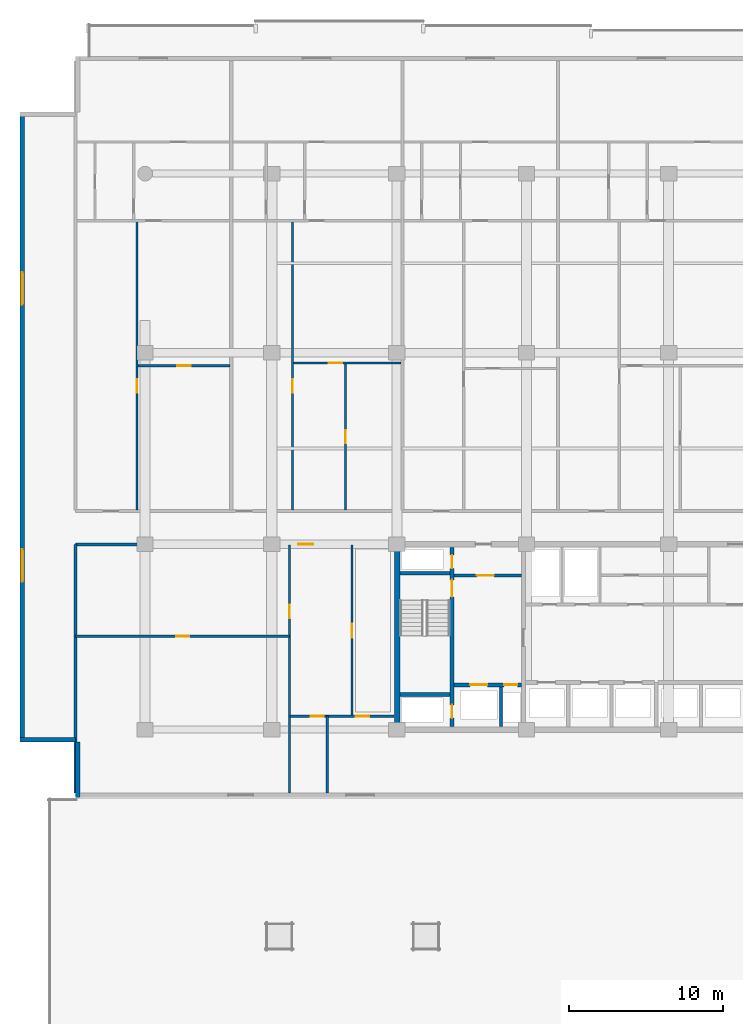
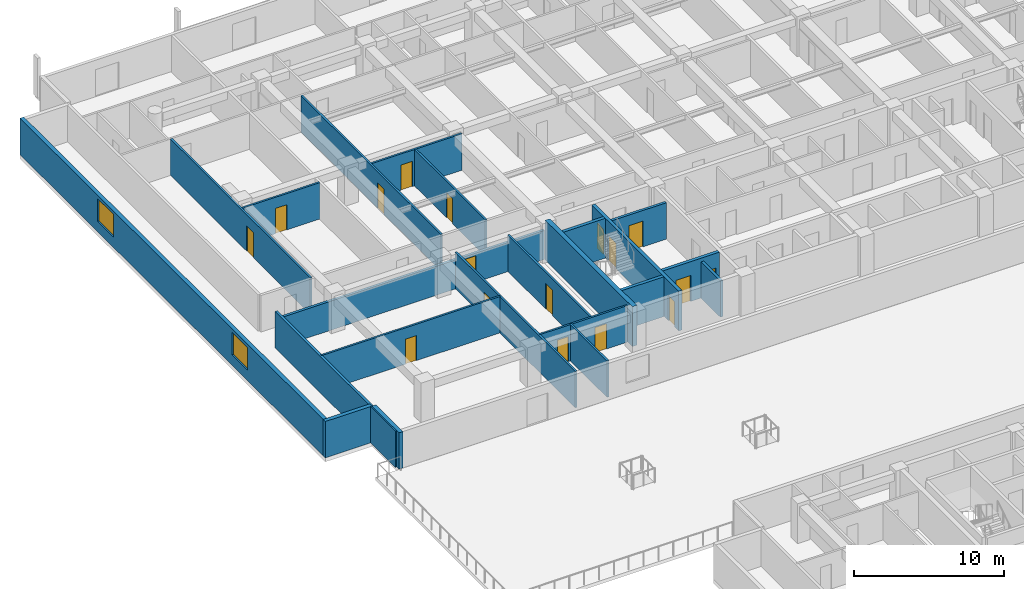
# One storey, part 9 of 24: 22 walls, 17 doors, 2 windows, 19 openings.
"""IFC4 building model written with IfcOpenShell, lengths in metres."""

import ifcopenshell
import ifcopenshell.guid

model = None  # the IFC model being written
_history = None  # IfcOwnerHistory: only IFC2X3 demands one
_inside = {}  # id of a spatial element -> (the spatial element, [elements in it])
_under = {}  # id of a project, library or spatial element -> (it, [spatial elements below it])
_declared = {}  # id of a project -> (the project, [libraries it declares])
_typed = {}  # id of a type object -> (the type object, [elements of that type])
_made_of = {}  # id of a material, layer set ... -> (it, [elements and type objects made of it])


def new_model(schema):
    """Start an empty IFC model of exactly this schema.

    Asked for "IFC4X3", IfcOpenShell would pick the latest addendum, in which some entities
    have other attributes; the version numbers below select the first issue.
    IFC2X3 requires an IfcOwnerHistory on every rooted entity: one is made here for all.
    """
    global model, _history
    if schema == "IFC4X3":
        model = ifcopenshell.file(schema_version=(4, 3, 0, 0))
    else:
        model = ifcopenshell.file(schema=schema)
    _inside.clear()
    _under.clear()
    _declared.clear()
    _typed.clear()
    _made_of.clear()
    _history = None
    if model.schema == "IFC2X3":
        org = make("IfcOrganization", Name="unknown")
        user = make(
            "IfcPersonAndOrganization",
            ThePerson=make("IfcPerson", FamilyName="unknown"),
            TheOrganization=org,
        )
        app = make(
            "IfcApplication",
            ApplicationDeveloper=org,
            Version="unknown",
            ApplicationFullName="unknown",
            ApplicationIdentifier="unknown",
        )
        _history = make(
            "IfcOwnerHistory",
            OwningUser=user,
            OwningApplication=app,
            ChangeAction="ADDED",
            CreationDate=0,
        )
    return model


def make(cls, **values):
    """One entity of the class cls with the attributes given. An attribute that is None is left unset."""
    return model.create_entity(
        cls, **{name: value for name, value in values.items() if value is not None}
    )


def rooted(cls, **values):
    """An entity with a GlobalId (a new one), such as an element, a storey or a relation."""
    return make(cls, GlobalId=ifcopenshell.guid.new(), OwnerHistory=_history, **values)


def si_unit(unit_type, name, prefix=None):
    """IfcSIUnit, for example si_unit("LENGTHUNIT", "METRE", prefix="MILLI")."""
    return make("IfcSIUnit", UnitType=unit_type, Prefix=prefix, Name=name)


def assignment(units):
    """IfcUnitAssignment: the units of a project."""
    return None if units is None else make("IfcUnitAssignment", Units=units)


def point(xyz):
    """IfcCartesianPoint."""
    return None if xyz is None else make("IfcCartesianPoint", Coordinates=xyz)


def direction(xyz):
    """IfcDirection."""
    return None if xyz is None else make("IfcDirection", DirectionRatios=xyz)


def frame(location, z_axis=None, x_axis=None):
    """IfcAxis2Placement3D, a coordinate frame: its origin and axes. An axis left out is left unset."""
    return make(
        "IfcAxis2Placement3D",
        Location=point(location),
        Axis=direction(z_axis),
        RefDirection=direction(x_axis),
    )


def frame_2d(location, x_axis=None):
    """IfcAxis2Placement2D, a coordinate frame in the plane: its origin and x axis."""
    return make(
        "IfcAxis2Placement2D", Location=point(location), RefDirection=direction(x_axis)
    )


def origin():
    """The frame at (0, 0, 0) with its axes left unset."""
    return frame((0.0, 0.0, 0.0))


def place(relative_to, where):
    """IfcLocalPlacement: puts the frame where relative to a parent placement (None: the world)."""
    return make(
        "IfcLocalPlacement", PlacementRelTo=relative_to, RelativePlacement=where
    )


def context(
    kind, dimensions, precision=None, world=None, true_north=None, identifier=None
):
    """IfcGeometricRepresentationContext, for example the 3D "Model" context."""
    return make(
        "IfcGeometricRepresentationContext",
        ContextIdentifier=identifier,
        ContextType=kind,
        CoordinateSpaceDimension=dimensions,
        Precision=precision,
        WorldCoordinateSystem=world,
        TrueNorth=true_north,
    )


def subcontext(parent, identifier, kind, view, scale=None):
    """IfcGeometricRepresentationSubContext, for example "Body" below "Model"."""
    return make(
        "IfcGeometricRepresentationSubContext",
        ContextIdentifier=identifier,
        ContextType=kind,
        ParentContext=parent,
        TargetScale=scale,
        TargetView=view,
    )


def project(units=None, contexts=None):
    """IfcProject with its units and contexts."""
    return rooted(
        "IfcProject",
        Name="project",
        RepresentationContexts=contexts,
        UnitsInContext=assignment(units),
    )


def spatial(cls, under=None, at=None, **own):
    """A site, building, storey or space (cls), placed at a placement, below another one or the project."""
    s = rooted(cls, ObjectPlacement=at, **own)
    if under is not None:
        _under.setdefault(under.id(), (under, []))[1].append(s)
    return s


def profile(cls, at=None, kind="AREA", **sizes):
    """A parametric profile (cls). Its sizes go by their IFC names, for example OverallWidth=200.0."""
    return make(cls, ProfileType=kind, Position=at, **sizes)


def rectangle(**sizes):
    """IfcRectangleProfileDef."""
    return profile("IfcRectangleProfileDef", **sizes)


def extrude(swept, where, along, depth):
    """IfcExtrudedAreaSolid: the profile swept, set in the frame where, extruded along a direction by depth."""
    return make(
        "IfcExtrudedAreaSolid",
        SweptArea=swept,
        Position=where,
        ExtrudedDirection=direction(along),
        Depth=depth,
    )


def shape(context_of_items, identifier, shape_type, items):
    """IfcShapeRepresentation: the items that make up one representation, for example the "Body"."""
    return make(
        "IfcShapeRepresentation",
        ContextOfItems=context_of_items,
        RepresentationIdentifier=identifier,
        RepresentationType=shape_type,
        Items=items,
    )


def material(Name=None, Category=None):
    """IfcMaterial."""
    return make("IfcMaterial", Name=Name, Category=Category)


def layer(
    of_material, thickness, ventilated=None, Name=None, Category=None, Priority=None
):
    """IfcMaterialLayer: one layer of a wall or slab, of a material (None: an air gap)."""
    return make(
        "IfcMaterialLayer",
        Material=of_material,
        LayerThickness=thickness,
        IsVentilated=ventilated,
        Name=Name,
        Category=Category,
        Priority=Priority,
    )


def layer_set(layers, Name=None):
    """IfcMaterialLayerSet."""
    return make("IfcMaterialLayerSet", MaterialLayers=layers, LayerSetName=Name)


def made_of(thing, what):
    """Note that an element or type object is made of a material, layer set ...; save() writes the relation."""
    if what is not None:
        _made_of.setdefault(what.id(), (what, []))[1].append(thing)
    return thing


def type_object(cls, material=None, **own):
    """A type object (cls), such as IfcWallType, which elements share."""
    return made_of(rooted(cls, **own), material)


def element(
    cls,
    number,
    at=None,
    inside=None,
    cuts=None,
    type_object=None,
    material=None,
    context=None,
    identifier="Body",
    shape_type=None,
    held_by="IfcProductDefinitionShape",
    body=None,
    shapes=None,
    **own,
):
    """One element of the class cls, such as IfcWall. Its Tag is "e" and its number.

    at: its placement. inside: the storey or other place that contains it. cuts: it is an
    opening in that element (IfcRelVoidsElement). A single representation is given by context,
    identifier, shape_type and body (its items); several are given by shapes. held_by: the class
    of the entity that holds the representations. save() writes the other relations.
    """
    e = rooted(cls, Tag="e%d" % number, ObjectPlacement=at, **own)
    if body is not None:
        shapes = [shape(context, identifier, shape_type, body)]
    if shapes is not None:
        e.Representation = make(held_by, Representations=shapes)
    if inside is not None:
        _inside.setdefault(inside.id(), (inside, []))[1].append(e)
    if cuts is not None:
        rooted(
            "IfcRelVoidsElement", RelatingBuildingElement=cuts, RelatedOpeningElement=e
        )
    if type_object is not None:
        _typed.setdefault(type_object.id(), (type_object, []))[1].append(e)
    return made_of(e, material)


def fill(opening, filler):
    """IfcRelFillsElement: the door or window that sits in an opening."""
    return rooted(
        "IfcRelFillsElement",
        RelatingOpeningElement=opening,
        RelatedBuildingElement=filler,
    )


def aggregate(whole, parts):
    """IfcRelAggregates: a whole, such as a stair, and the parts it consists of."""
    return rooted("IfcRelAggregates", RelatingObject=whole, RelatedObjects=parts)


def save(model, path):
    """Write the relations noted so far, then the file.

    IfcRelAggregates (storeys below a building ...), IfcRelContainedInSpatialStructure (elements
    in a storey), IfcRelDefinesByType, IfcRelAssociatesMaterial and IfcRelDeclares: one each for
    every whole, place, type object, material and project.
    """
    for whole, parts in _under.values():
        aggregate(whole, parts)
    for where, things in _inside.values():
        rooted(
            "IfcRelContainedInSpatialStructure",
            RelatedElements=things,
            RelatingStructure=where,
        )
    for kind, things in _typed.values():
        rooted("IfcRelDefinesByType", RelatedObjects=things, RelatingType=kind)
    for what, things in _made_of.values():
        rooted("IfcRelAssociatesMaterial", RelatedObjects=things, RelatingMaterial=what)
    for by, libraries in _declared.values():
        rooted("IfcRelDeclares", RelatingContext=by, RelatedDefinitions=libraries)
    model.write(path)


model = new_model("IFC4")

# Units and contexts
model_context = context("Model", 3, precision=1e-05, world=origin(), true_north=direction((0.0, 1.0)))
body_context = subcontext(model_context, "Body", "Model", "MODEL_VIEW")
ifc_project = project(units=[si_unit("LENGTHUNIT", "METRE"), si_unit("AREAUNIT", "SQUARE_METRE"), si_unit("VOLUMEUNIT", "CUBIC_METRE"), si_unit("PLANEANGLEUNIT", "RADIAN"), si_unit("MASSUNIT", "GRAM", prefix="KILO")], contexts=[model_context])

# Site, building, storey
site_placement = place(None, origin())
site = spatial("IfcSite", under=ifc_project, at=site_placement, CompositionType="ELEMENT")
building_placement = place(site_placement, origin())
building = spatial("IfcBuilding", under=site, at=building_placement, Name="Korimba Cascade Residences", CompositionType="ELEMENT")
storey_placement = place(building_placement, frame((0.0, 0.0, 24.0)))
storey = spatial("IfcBuildingStorey", under=building, at=storey_placement, Name="L05", CompositionType="ELEMENT", Elevation=24.0)

# Wall, openings, windows
ifc_material_1 = material(Name="Precast concrete C40/50", Category="concrete")
ifc_layer_1 = layer(ifc_material_1, 0.300048828125)
ifc_layer_set_1 = layer_set([ifc_layer_1], Name="Precast concrete C40/50")
wall_type_1 = type_object("IfcWallType", Name="EW-STONE-300", PredefinedType="STANDARD", material=ifc_layer_set_1)
wall_1_placement = place(storey_placement, frame((51.85009765625, 95.199951171875, 0.0), z_axis=(0.0, 0.0, 1.0), x_axis=(0.0, -1.0, 0.0)))
wall_1 = element("IfcWall", 1, at=wall_1_placement, inside=storey, type_object=wall_type_1, Name="L05 T1 Perimeter Stone Wall E09", PredefinedType="STANDARD", context=body_context, shape_type="SweptSolid", body=[
    extrude(rectangle(XDim=40.800048828125, YDim=0.300048828125, at=frame_2d((20.39990234375, 0.0))), origin(), (0.0, 0.0, 1.0), 2.969970703125),
])
opening_1_placement = place(wall_1_placement, frame((10.3740234375, 0.0, 0.85009765625)))
opening_1 = element("IfcOpeningElement", 2, at=opening_1_placement, cuts=wall_1, Name="Opening W-03", PredefinedType="OPENING", context=body_context, shape_type="SweptSolid", body=[
    extrude(rectangle(XDim=2.10009765625, YDim=1.85009765625, at=frame_2d((1.050048828125, 0.925048828125))), frame((0.0, 0.16015625, 0.0), z_axis=(0.0, -1.0, 0.0), x_axis=(1.0, 0.0, 0.0)), (0.0, 0.0, 1.0), 0.320068359375),
])
opening_2_placement = place(wall_1_placement, frame((28.325927734375, 0.0, 0.85009765625)))
opening_2 = element("IfcOpeningElement", 3, at=opening_2_placement, cuts=wall_1, Name="Opening W-03", PredefinedType="OPENING", context=body_context, shape_type="SweptSolid", body=[
    extrude(rectangle(XDim=2.10009765625, YDim=1.85009765625, at=frame_2d((1.050048828125, 0.925048828125))), frame((0.0, 0.16015625, 0.0), z_axis=(0.0, -1.0, 0.0), x_axis=(1.0, 0.0, 0.0)), (0.0, 0.0, 1.0), 0.320068359375),
])
ifc_material_2 = material(Name="Double-Glazed Aluminium Window", Category="aluminium")
window_type = type_object("IfcWindowType", Name="WIN-CRN-2100", PartitioningType="DOUBLE_PANEL_HORIZONTAL", PredefinedType="WINDOW", material=ifc_material_2)
window_1_placement = place(opening_1_placement, origin())
window_1 = element("IfcWindow", 4, at=window_1_placement, inside=storey, type_object=window_type, Name="L05 T1 End View Window 9.1", OverallHeight=1.85009765625, OverallWidth=2.10009765625, PartitioningType="DOUBLE_PANEL_HORIZONTAL", PredefinedType="WINDOW", context=body_context, shape_type="SweptSolid", body=[
    extrude(rectangle(XDim=2.10009765625, YDim=1.85009765625, at=frame_2d((1.050048828125, 0.925048828125))), frame((0.0, 0.030029296875, 0.0), z_axis=(0.0, -1.0, 0.0), x_axis=(1.0, 0.0, 0.0)), (0.0, 0.0, 1.0), 0.06005859375),
])
fill(opening_1, window_1)
window_2_placement = place(opening_2_placement, origin())
window_2 = element("IfcWindow", 5, at=window_2_placement, inside=storey, type_object=window_type, Name="L05 T1 End View Window 9.2", OverallHeight=1.85009765625, OverallWidth=2.10009765625, PartitioningType="DOUBLE_PANEL_HORIZONTAL", PredefinedType="WINDOW", context=body_context, shape_type="SweptSolid", body=[
    extrude(rectangle(XDim=2.10009765625, YDim=1.85009765625, at=frame_2d((1.050048828125, 0.925048828125))), frame((0.0, 0.030029296875, 0.0), z_axis=(0.0, -1.0, 0.0), x_axis=(1.0, 0.0, 0.0)), (0.0, 0.0, 1.0), 0.06005859375),
])
fill(opening_2, window_2)

# Walls
wall_2_placement = place(storey_placement, frame((51.699951171875, 54.550048828125, 0.0), z_axis=(0.0, 0.0, 1.0), x_axis=(1.0, 0.0, 0.0)))
element("IfcWall", 6, at=wall_2_placement, inside=storey, type_object=wall_type_1, Name="L05 T1 Perimeter Stone Wall E10", PredefinedType="STANDARD", context=body_context, shape_type="SweptSolid", body=[
    extrude(rectangle(XDim=3.60009765625, YDim=0.300048828125, at=frame_2d((1.800048828125, 0.0))), origin(), (0.0, 0.0, 1.0), 2.969970703125),
])
wall_3_placement = place(storey_placement, frame((55.449951171875, 54.39990234375, 0.0), z_axis=(0.0, 0.0, 1.0), x_axis=(0.0, -1.0, 0.0)))
element("IfcWall", 7, at=wall_3_placement, inside=storey, type_object=wall_type_1, Name="L05 T1 Perimeter Stone Wall E11", PredefinedType="STANDARD", context=body_context, shape_type="SweptSolid", body=[
    extrude(rectangle(XDim=3.599853515625, YDim=0.300048828125, at=frame_2d((1.7998046875, 0.0))), origin(), (0.0, 0.0, 1.0), 2.969970703125),
])
ifc_material_3 = material(Name="Concrete C65/80", Category="concrete")
ifc_layer_2 = layer(ifc_material_3, 0.35009765625)
ifc_layer_set_2 = layer_set([ifc_layer_2], Name="Concrete C65/80")
wall_type_2 = type_object("IfcWallType", Name="WAL-CORE-350", PredefinedType="SHEAR", material=ifc_layer_set_2)
wall_4_placement = place(storey_placement, frame((76.125, 55.375, 0.0), z_axis=(0.0, 0.0, 1.0), x_axis=(0.0, 1.0, 0.0)))
element("IfcWall", 8, at=wall_4_placement, inside=storey, type_object=wall_type_2, Name="L05 Core Shear Wall CW-L05-T1-W", PredefinedType="SHEAR", context=body_context, shape_type="SweptSolid", body=[
    extrude(rectangle(XDim=11.64990234375, YDim=0.35009765625, at=frame_2d((5.824951171875, 0.0))), origin(), (0.0, 0.0, 1.0), 3.25),
])
ifc_layer_3 = layer(ifc_material_1, 0.199951171875)
ifc_layer_set_3 = layer_set([ifc_layer_3], Name="Precast concrete C40/50")
wall_type_3 = type_object("IfcWallType", Name="WAL-IT-200", PredefinedType="PARTITIONING", material=ifc_layer_set_3)
wall_5_placement = place(storey_placement, frame((55.300048828125, 51.10009765625, 0.0), z_axis=(0.0, 0.0, 1.0), x_axis=(0.0, 1.0, 0.0)))
element("IfcWall", 9, at=wall_5_placement, inside=storey, type_object=wall_type_3, Name="L05 Partition Wall WAL-L05-T1-FW-WL", PredefinedType="PARTITIONING", context=body_context, shape_type="SweptSolid", body=[
    extrude(rectangle(XDim=16.099853515625, YDim=0.199951171875, at=frame_2d((8.0498046875, 0.0))), origin(), (0.0, 0.0, 1.0), 2.969970703125),
])

# Wall, opening, door
wall_6_placement = place(storey_placement, frame((55.300048828125, 67.199951171875, 0.0), z_axis=(0.0, 0.0, 1.0), x_axis=(1.0, 0.0, 0.0)))
wall_6 = element("IfcWall", 10, at=wall_6_placement, inside=storey, type_object=wall_type_3, Name="L05 Partition Wall WAL-L05-T1-FW-N", PredefinedType="PARTITIONING", context=body_context, shape_type="SweptSolid", body=[
    extrude(rectangle(XDim=20.64990234375, YDim=0.199951171875, at=frame_2d((10.324951171875, 0.0))), origin(), (0.0, 0.0, 1.0), 2.3701171875),
])
opening_3_placement = place(wall_6_placement, frame((14.426025390625, 0.0, 0.0)))
opening_3 = element("IfcOpeningElement", 11, at=opening_3_placement, cuts=wall_6, Name="Opening D-UN1", PredefinedType="OPENING", context=body_context, shape_type="SweptSolid", body=[
    extrude(rectangle(XDim=0.949951171875, YDim=2.14990234375, at=frame_2d((0.47509765625, 1.074951171875))), frame((0.0, 0.10986328125, 0.0), z_axis=(0.0, -1.0, 0.0), x_axis=(1.0, 0.0, 0.0)), (0.0, 0.0, 1.0), 0.219970703125),
])
ifc_material_4 = material(Name="Fire-Rated Hardwood Apartment Entrance Door", Category="wood")
door_type_1 = type_object("IfcDoorType", Name="DR-FD60-950", OperationType="NOTDEFINED", PredefinedType="DOOR", material=ifc_material_4)
door_1_placement = place(opening_3_placement, origin())
door_1 = element("IfcDoor", 12, at=door_1_placement, inside=storey, type_object=door_type_1, Name="L05-T1-FW Entrance Door", OperationType="SINGLE_SWING_RIGHT", OverallHeight=2.14990234375, OverallWidth=0.949951171875, PredefinedType="DOOR", context=body_context, shape_type="SweptSolid", body=[
    extrude(rectangle(XDim=0.949951171875, YDim=2.14990234375, at=frame_2d((0.47509765625, 1.074951171875))), frame((0.0, 0.02490234375, 0.0), z_axis=(0.0, -1.0, 0.0), x_axis=(1.0, 0.0, 0.0)), (0.0, 0.0, 1.0), 0.050048828125),
])
fill(opening_3, door_1)

ifc_material_5 = material(Name="Insulated Acoustic Stud Partition", Category="gypsum")
ifc_layer_4 = layer(ifc_material_5, 0.14990234375)
ifc_layer_set_4 = layer_set([ifc_layer_4], Name="Insulated Acoustic Stud Partition")
wall_type_4 = type_object("IfcWallType", Name="WAL-PART-150", PredefinedType="PARTITIONING", material=ifc_layer_set_4)
wall_7_placement = place(storey_placement, frame((55.300048828125, 61.25, 0.0), z_axis=(0.0, 0.0, 1.0), x_axis=(1.0, 0.0, 0.0)))
wall_7 = element("IfcWall", 13, at=wall_7_placement, inside=storey, type_object=wall_type_4, Name="L05 Partition Wall WAL-L05-T1-FW-STH", PredefinedType="PARTITIONING", context=body_context, shape_type="SweptSolid", body=[
    extrude(rectangle(XDim=13.849853515625, YDim=0.14990234375, at=frame_2d((6.9248046875, 0.0))), origin(), (0.0, 0.0, 1.0), 2.969970703125),
])
opening_4_placement = place(wall_7_placement, frame((6.5048828125, 0.0, 0.0)))
opening_4 = element("IfcOpeningElement", 14, at=opening_4_placement, cuts=wall_7, Name="Opening D-BT1", PredefinedType="OPENING", context=body_context, shape_type="SweptSolid", body=[
    extrude(rectangle(XDim=0.840087890625, YDim=2.0400390625, at=frame_2d((0.419921875, 1.02001953125))), frame((0.0, 0.0849609375, 0.0), z_axis=(0.0, -1.0, 0.0), x_axis=(1.0, 0.0, 0.0)), (0.0, 0.0, 1.0), 0.169921875),
])
ifc_material_6 = material(Name="Moisture-Resistant Bathroom Timber Door", Category="wood")
door_type_2 = type_object("IfcDoorType", Name="DR-INT-850", OperationType="NOTDEFINED", PredefinedType="DOOR", material=ifc_material_6)
door_2_placement = place(opening_4_placement, origin())
door_2 = element("IfcDoor", 15, at=door_2_placement, inside=storey, type_object=door_type_2, Name="L05-T1-FW Dressing Store Door", OperationType="SINGLE_SWING_LEFT", OverallHeight=2.0400390625, OverallWidth=0.840087890625, PredefinedType="DOOR", context=body_context, shape_type="SweptSolid", body=[
    extrude(rectangle(XDim=0.840087890625, YDim=2.0400390625, at=frame_2d((0.419921875, 1.02001953125))), frame((0.0, 0.02490234375, 0.0), z_axis=(0.0, -1.0, 0.0), x_axis=(1.0, 0.0, 0.0)), (0.0, 0.0, 1.0), 0.050048828125),
])
fill(opening_4, door_2)

wall_8_placement = place(storey_placement, frame((69.14990234375, 51.10009765625, 0.0), z_axis=(0.0, 0.0, 1.0), x_axis=(0.0, 1.0, 0.0)))
wall_8 = element("IfcWall", 16, at=wall_8_placement, inside=storey, type_object=wall_type_4, Name="L05 Partition Wall WAL-L05-T1-FW-STV", PredefinedType="PARTITIONING", context=body_context, shape_type="SweptSolid", body=[
    extrude(rectangle(XDim=16.0498046875, YDim=0.14990234375, at=frame_2d((8.02490234375, 0.0))), origin(), (0.0, 0.0, 1.0), 2.969970703125),
])
opening_5_placement = place(wall_8_placement, frame((11.300048828125, 0.0, 0.0)))
opening_5 = element("IfcOpeningElement", 17, at=opening_5_placement, cuts=wall_8, Name="Opening D-IN2", PredefinedType="OPENING", context=body_context, shape_type="SweptSolid", body=[
    extrude(rectangle(XDim=0.8798828125, YDim=2.06005859375, at=frame_2d((0.43994140625, 1.030029296875))), frame((0.0, 0.0849609375, 0.0), z_axis=(0.0, -1.0, 0.0), x_axis=(1.0, 0.0, 0.0)), (0.0, 0.0, 1.0), 0.169921875),
])
ifc_material_7 = material(Name="Acoustic Timber Bedroom Door", Category="wood")
door_type_3 = type_object("IfcDoorType", Name="DR-INT-880", OperationType="NOTDEFINED", PredefinedType="DOOR", material=ifc_material_7)
door_3_placement = place(opening_5_placement, origin())
door_3 = element("IfcDoor", 18, at=door_3_placement, inside=storey, type_object=door_type_3, Name="L05-T1-FW Study Door", OperationType="SINGLE_SWING_RIGHT", OverallHeight=2.06005859375, OverallWidth=0.8798828125, PredefinedType="DOOR", context=body_context, shape_type="SweptSolid", body=[
    extrude(rectangle(XDim=0.8798828125, YDim=2.06005859375, at=frame_2d((0.43994140625, 1.030029296875))), frame((0.0, 0.02490234375, 0.0), z_axis=(0.0, -1.0, 0.0), x_axis=(1.0, 0.0, 0.0)), (0.0, 0.0, 1.0), 0.050048828125),
])
fill(opening_5, door_3)

wall_9_placement = place(storey_placement, frame((73.199951171875, 56.070068359375, 0.0), z_axis=(0.0, 0.0, 1.0), x_axis=(0.0, 1.0, 0.0)))
wall_9 = element("IfcWall", 19, at=wall_9_placement, inside=storey, type_object=wall_type_4, Name="L05 Partition Wall WAL-L05-T1-FW-VN", PredefinedType="PARTITIONING", context=body_context, shape_type="SweptSolid", body=[
    extrude(rectangle(XDim=11.079833984375, YDim=0.14990234375, at=frame_2d((5.5400390625, 0.0))), origin(), (0.0, 0.0, 1.0), 2.969970703125),
])
opening_6_placement = place(wall_9_placement, frame((5.080078125, 0.0, 0.0)))
opening_6 = element("IfcOpeningElement", 20, at=opening_6_placement, cuts=wall_9, Name="Opening D-IN1", PredefinedType="OPENING", context=body_context, shape_type="SweptSolid", body=[
    extrude(rectangle(XDim=0.919921875, YDim=2.080078125, at=frame_2d((0.4599609375, 1.0400390625))), frame((0.0, 0.0849609375, 0.0), z_axis=(0.0, -1.0, 0.0), x_axis=(1.0, 0.0, 0.0)), (0.0, 0.0, 1.0), 0.169921875),
])
ifc_material_8 = material(Name="Acoustic Timber Living Door", Category="wood")
door_type_4 = type_object("IfcDoorType", Name="DR-INT-920", OperationType="NOTDEFINED", PredefinedType="DOOR", material=ifc_material_8)
door_4_placement = place(opening_6_placement, origin())
door_4 = element("IfcDoor", 21, at=door_4_placement, inside=storey, type_object=door_type_4, Name="L05-T1-FW Living Door", OperationType="SINGLE_SWING_LEFT", OverallHeight=2.080078125, OverallWidth=0.919921875, PredefinedType="DOOR", context=body_context, shape_type="SweptSolid", body=[
    extrude(rectangle(XDim=0.919921875, YDim=2.080078125, at=frame_2d((0.4599609375, 1.0400390625))), frame((0.0, 0.02490234375, 0.0), z_axis=(0.0, -1.0, 0.0), x_axis=(1.0, 0.0, 0.0)), (0.0, 0.0, 1.0), 0.050048828125),
])
fill(opening_6, door_4)

# Wall
wall_10_placement = place(storey_placement, frame((71.60009765625, 51.10009765625, 0.0), z_axis=(0.0, 0.0, 1.0), x_axis=(0.0, 1.0, 0.0)))
element("IfcWall", 22, at=wall_10_placement, inside=storey, type_object=wall_type_4, Name="L05 Partition Wall WAL-L05-T1-FW-VS", PredefinedType="PARTITIONING", context=body_context, shape_type="SweptSolid", body=[
    extrude(rectangle(XDim=4.969970703125, YDim=0.14990234375, at=frame_2d((2.48486328125, 0.0))), origin(), (0.0, 0.0, 1.0), 2.969970703125),
])

# Wall, openings, doors
wall_11_placement = place(storey_placement, frame((69.169921875, 56.070068359375, 0.0), z_axis=(0.0, 0.0, 1.0), x_axis=(1.0, 0.0, 0.0)))
wall_11 = element("IfcWall", 23, at=wall_11_placement, inside=storey, type_object=wall_type_4, Name="L05 Partition Wall WAL-L05-T1-FW-H", PredefinedType="PARTITIONING", context=body_context, shape_type="SweptSolid", body=[
    extrude(rectangle(XDim=6.760009765625, YDim=0.14990234375, at=frame_2d((3.3798828125, 0.0))), origin(), (0.0, 0.0, 1.0), 2.969970703125),
])
opening_7_placement = place(wall_11_placement, frame((1.3623046875, 0.0, 0.0)))
opening_7 = element("IfcOpeningElement", 24, at=opening_7_placement, cuts=wall_11, Name="Opening D-BT1", PredefinedType="OPENING", context=body_context, shape_type="SweptSolid", body=[
    extrude(rectangle(XDim=0.840087890625, YDim=2.0400390625, at=frame_2d((0.419921875, 1.02001953125))), frame((0.0, 0.0849609375, 0.0), z_axis=(0.0, -1.0, 0.0), x_axis=(1.0, 0.0, 0.0)), (0.0, 0.0, 1.0), 0.169921875),
])
opening_8_placement = place(wall_11_placement, frame((4.276611328125, 0.0, 0.0)))
opening_8 = element("IfcOpeningElement", 25, at=opening_8_placement, cuts=wall_11, Name="Opening D-IN2", PredefinedType="OPENING", context=body_context, shape_type="SweptSolid", body=[
    extrude(rectangle(XDim=0.8798828125, YDim=2.06005859375, at=frame_2d((0.43994140625, 1.030029296875))), frame((0.0, 0.0849609375, 0.0), z_axis=(0.0, -1.0, 0.0), x_axis=(1.0, 0.0, 0.0)), (0.0, 0.0, 1.0), 0.169921875),
])
door_5_placement = place(opening_7_placement, origin())
door_5 = element("IfcDoor", 26, at=door_5_placement, inside=storey, type_object=door_type_2, Name="L05-T1-FW Bathroom Door", OperationType="SINGLE_SWING_RIGHT", OverallHeight=2.0400390625, OverallWidth=0.840087890625, PredefinedType="DOOR", context=body_context, shape_type="SweptSolid", body=[
    extrude(rectangle(XDim=0.840087890625, YDim=2.0400390625, at=frame_2d((0.419921875, 1.02001953125))), frame((0.0, 0.02490234375, 0.0), z_axis=(0.0, -1.0, 0.0), x_axis=(1.0, 0.0, 0.0)), (0.0, 0.0, 1.0), 0.050048828125),
])
fill(opening_7, door_5)
door_6_placement = place(opening_8_placement, origin())
door_6 = element("IfcDoor", 27, at=door_6_placement, inside=storey, type_object=door_type_3, Name="L05-T1-FW Bedroom Door", OperationType="SINGLE_SWING_LEFT", OverallHeight=2.06005859375, OverallWidth=0.8798828125, PredefinedType="DOOR", context=body_context, shape_type="SweptSolid", body=[
    extrude(rectangle(XDim=0.8798828125, YDim=2.06005859375, at=frame_2d((0.43994140625, 1.030029296875))), frame((0.0, 0.02490234375, 0.0), z_axis=(0.0, -1.0, 0.0), x_axis=(1.0, 0.0, 0.0)), (0.0, 0.0, 1.0), 0.050048828125),
])
fill(opening_8, door_6)

# Wall, opening, door
wall_12_placement = place(storey_placement, frame((59.330078125, 78.760009765625, 0.0), z_axis=(0.0, 0.0, 1.0), x_axis=(1.0, 0.0, 0.0)))
wall_12 = element("IfcWall", 28, at=wall_12_placement, inside=storey, type_object=wall_type_4, Name="L05 Partition Wall WAL-L05-T1-U01-FMH", PredefinedType="PARTITIONING", context=body_context, shape_type="SweptSolid", body=[
    extrude(rectangle(XDim=5.9677734375, YDim=0.14990234375, at=frame_2d((2.98388671875, 0.0))), origin(), (0.0, 0.0, 1.0), 2.969970703125),
])
opening_9_placement = place(wall_12_placement, frame((2.5439453125, 0.0, 0.0)))
opening_9 = element("IfcOpeningElement", 29, at=opening_9_placement, cuts=wall_12, Name="Opening D-IN2", PredefinedType="OPENING", context=body_context, shape_type="SweptSolid", body=[
    extrude(rectangle(XDim=0.8798828125, YDim=2.06005859375, at=frame_2d((0.43994140625, 1.030029296875))), frame((0.0, 0.0849609375, 0.0), z_axis=(0.0, -1.0, 0.0), x_axis=(1.0, 0.0, 0.0)), (0.0, 0.0, 1.0), 0.169921875),
])
door_7_placement = place(opening_9_placement, origin())
door_7 = element("IfcDoor", 30, at=door_7_placement, inside=storey, type_object=door_type_3, Name="L05-T1-U01 Library Salon Door", OperationType="SINGLE_SWING_LEFT", OverallHeight=2.06005859375, OverallWidth=0.8798828125, PredefinedType="DOOR", context=body_context, shape_type="SweptSolid", body=[
    extrude(rectangle(XDim=0.8798828125, YDim=2.06005859375, at=frame_2d((0.43994140625, 1.030029296875))), frame((0.0, 0.02490234375, 0.0), z_axis=(0.0, -1.0, 0.0), x_axis=(1.0, 0.0, 0.0)), (0.0, 0.0, 1.0), 0.050048828125),
])
fill(opening_9, door_7)

wall_13_placement = place(storey_placement, frame((59.27001953125, 69.409912109375, 0.0), z_axis=(0.0, 0.0, 1.0), x_axis=(0.0, 1.0, 0.0)))
wall_13 = element("IfcWall", 31, at=wall_13_placement, inside=storey, type_object=wall_type_4, Name="L05 Partition Wall WAL-L05-T1-U01-FV", PredefinedType="PARTITIONING", context=body_context, shape_type="SweptSolid", body=[
    extrude(rectangle(XDim=18.7001953125, YDim=0.14990234375, at=frame_2d((9.35009765625, 0.0))), origin(), (0.0, 0.0, 1.0), 2.969970703125),
])
opening_10_placement = place(wall_13_placement, frame((7.59033203125, 0.0, 0.0)))
opening_10 = element("IfcOpeningElement", 32, at=opening_10_placement, cuts=wall_13, Name="Opening D-IN2", PredefinedType="OPENING", context=body_context, shape_type="SweptSolid", body=[
    extrude(rectangle(XDim=0.8798828125, YDim=2.06005859375, at=frame_2d((0.43994140625, 1.030029296875))), frame((0.0, 0.0849609375, 0.0), z_axis=(0.0, -1.0, 0.0), x_axis=(1.0, 0.0, 0.0)), (0.0, 0.0, 1.0), 0.169921875),
])
door_8_placement = place(opening_10_placement, origin())
door_8 = element("IfcDoor", 33, at=door_8_placement, inside=storey, type_object=door_type_3, Name="L05-T1-U01 Media Lounge Door", OperationType="SINGLE_SWING_RIGHT", OverallHeight=2.06005859375, OverallWidth=0.8798828125, PredefinedType="DOOR", context=body_context, shape_type="SweptSolid", body=[
    extrude(rectangle(XDim=0.8798828125, YDim=2.06005859375, at=frame_2d((0.43994140625, 1.030029296875))), frame((0.0, 0.02490234375, 0.0), z_axis=(0.0, -1.0, 0.0), x_axis=(1.0, 0.0, 0.0)), (0.0, 0.0, 1.0), 0.050048828125),
])
fill(opening_10, door_8)

wall_14_placement = place(storey_placement, frame((72.77587890625, 69.409912109375, 0.0), z_axis=(0.0, 0.0, 1.0), x_axis=(0.0, 1.0, 0.0)))
wall_14 = element("IfcWall", 34, at=wall_14_placement, inside=storey, type_object=wall_type_4, Name="L05 Partition Wall WAL-L05-T1-U02-FMV", PredefinedType="PARTITIONING", context=body_context, shape_type="SweptSolid", body=[
    extrude(rectangle(XDim=9.530029296875, YDim=0.14990234375, at=frame_2d((4.76513671875, 0.0))), origin(), (0.0, 0.0, 1.0), 2.969970703125),
])
opening_11_placement = place(wall_14_placement, frame((4.344970703125, 0.0, 0.0)))
opening_11 = element("IfcOpeningElement", 35, at=opening_11_placement, cuts=wall_14, Name="Opening D-BT1", PredefinedType="OPENING", context=body_context, shape_type="SweptSolid", body=[
    extrude(rectangle(XDim=0.840087890625, YDim=2.0400390625, at=frame_2d((0.419921875, 1.02001953125))), frame((0.0, 0.0849609375, 0.0), z_axis=(0.0, -1.0, 0.0), x_axis=(1.0, 0.0, 0.0)), (0.0, 0.0, 1.0), 0.169921875),
])
door_9_placement = place(opening_11_placement, origin())
door_9 = element("IfcDoor", 36, at=door_9_placement, inside=storey, type_object=door_type_2, Name="L05-T1-U02 Wardrobe Door", OperationType="SINGLE_SWING_LEFT", OverallHeight=2.0400390625, OverallWidth=0.840087890625, PredefinedType="DOOR", context=body_context, shape_type="SweptSolid", body=[
    extrude(rectangle(XDim=0.840087890625, YDim=2.0400390625, at=frame_2d((0.419921875, 1.02001953125))), frame((0.0, 0.02490234375, 0.0), z_axis=(0.0, -1.0, 0.0), x_axis=(1.0, 0.0, 0.0)), (0.0, 0.0, 1.0), 0.050048828125),
])
fill(opening_11, door_9)

wall_15_placement = place(storey_placement, frame((69.407958984375, 78.93994140625, 0.0), z_axis=(0.0, 0.0, 1.0), x_axis=(1.0, 0.0, 0.0)))
wall_15 = element("IfcWall", 37, at=wall_15_placement, inside=storey, type_object=wall_type_4, Name="L05 Partition Wall WAL-L05-T1-U02-FMH", PredefinedType="PARTITIONING", context=body_context, shape_type="SweptSolid", body=[
    extrude(rectangle(XDim=6.9755859375, YDim=0.14990234375, at=frame_2d((3.48779296875, 0.0))), origin(), (0.0, 0.0, 1.0), 2.969970703125),
])
opening_12_placement = place(wall_15_placement, frame((2.267822265625, 0.0, 0.0)))
opening_12 = element("IfcOpeningElement", 38, at=opening_12_placement, cuts=wall_15, Name="Opening D-IN2", PredefinedType="OPENING", context=body_context, shape_type="SweptSolid", body=[
    extrude(rectangle(XDim=0.8798828125, YDim=2.06005859375, at=frame_2d((0.43994140625, 1.030029296875))), frame((0.0, 0.0849609375, 0.0), z_axis=(0.0, -1.0, 0.0), x_axis=(1.0, 0.0, 0.0)), (0.0, 0.0, 1.0), 0.169921875),
])
door_10_placement = place(opening_12_placement, origin())
door_10 = element("IfcDoor", 39, at=door_10_placement, inside=storey, type_object=door_type_3, Name="L05-T1-U02 Library Salon Door", OperationType="SINGLE_SWING_RIGHT", OverallHeight=2.06005859375, OverallWidth=0.8798828125, PredefinedType="DOOR", context=body_context, shape_type="SweptSolid", body=[
    extrude(rectangle(XDim=0.8798828125, YDim=2.06005859375, at=frame_2d((0.43994140625, 1.030029296875))), frame((0.0, 0.02490234375, 0.0), z_axis=(0.0, -1.0, 0.0), x_axis=(1.0, 0.0, 0.0)), (0.0, 0.0, 1.0), 0.050048828125),
])
fill(opening_12, door_10)

wall_16_placement = place(storey_placement, frame((69.347900390625, 69.409912109375, 0.0), z_axis=(0.0, 0.0, 1.0), x_axis=(0.0, 1.0, 0.0)))
wall_16 = element("IfcWall", 40, at=wall_16_placement, inside=storey, type_object=wall_type_4, Name="L05 Partition Wall WAL-L05-T1-U02-FV", PredefinedType="PARTITIONING", context=body_context, shape_type="SweptSolid", body=[
    extrude(rectangle(XDim=18.7001953125, YDim=0.14990234375, at=frame_2d((9.35009765625, 0.0))), origin(), (0.0, 0.0, 1.0), 2.969970703125),
])
opening_13_placement = place(wall_16_placement, frame((7.594970703125, 0.0, 0.0)))
opening_13 = element("IfcOpeningElement", 41, at=opening_13_placement, cuts=wall_16, Name="Opening D-IN2", PredefinedType="OPENING", context=body_context, shape_type="SweptSolid", body=[
    extrude(rectangle(XDim=0.8798828125, YDim=2.06005859375, at=frame_2d((0.43994140625, 1.030029296875))), frame((0.0, 0.0849609375, 0.0), z_axis=(0.0, -1.0, 0.0), x_axis=(1.0, 0.0, 0.0)), (0.0, 0.0, 1.0), 0.169921875),
])
door_11_placement = place(opening_13_placement, origin())
door_11 = element("IfcDoor", 42, at=door_11_placement, inside=storey, type_object=door_type_3, Name="L05-T1-U02 Media Lounge Door", OperationType="SINGLE_SWING_LEFT", OverallHeight=2.06005859375, OverallWidth=0.8798828125, PredefinedType="DOOR", context=body_context, shape_type="SweptSolid", body=[
    extrude(rectangle(XDim=0.8798828125, YDim=2.06005859375, at=frame_2d((0.43994140625, 1.030029296875))), frame((0.0, 0.02490234375, 0.0), z_axis=(0.0, -1.0, 0.0), x_axis=(1.0, 0.0, 0.0)), (0.0, 0.0, 1.0), 0.050048828125),
])
fill(opening_13, door_11)

# Wall
ifc_material_9 = material(Name="Concrete C40/50", Category="concrete")
ifc_layer_5 = layer(ifc_material_9, 0.199951171875)
ifc_layer_set_5 = layer_set([ifc_layer_5], Name="Concrete C40/50")
wall_type_5 = type_object("IfcWallType", Name="WAL-PART-200", PredefinedType="PARTITIONING", material=ifc_layer_set_5)
wall_17_placement = place(storey_placement, frame((82.85009765625, 55.39990234375, 0.0), z_axis=(0.0, 0.0, 1.0), x_axis=(0.0, 1.0, 0.0)))
element("IfcWall", 43, at=wall_17_placement, inside=storey, type_object=wall_type_5, Name="L05 Partition Wall CW-L05-T1-FFLDIV", PredefinedType="PARTITIONING", context=body_context, shape_type="SweptSolid", body=[
    extrude(rectangle(XDim=2.56005859375, YDim=0.199951171875, at=frame_2d((1.280029296875, 0.0))), origin(), (0.0, 0.0, 1.0), 2.969970703125),
])

# Wall, opening, door
wall_18_placement = place(storey_placement, frame((79.7900390625, 65.179931640625, 0.0), z_axis=(0.0, 0.0, 1.0), x_axis=(1.0, 0.0, 0.0)))
wall_18 = element("IfcWall", 44, at=wall_18_placement, inside=storey, type_object=wall_type_5, Name="L05 Partition Wall CW-L05-T1-FFLN", PredefinedType="PARTITIONING", context=body_context, shape_type="SweptSolid", body=[
    extrude(rectangle(XDim=4.389892578125, YDim=0.199951171875, at=frame_2d((2.19482421875, 0.0))), origin(), (0.0, 0.0, 1.0), 2.969970703125),
])
opening_14_placement = place(wall_18_placement, frame((1.5, 0.0, 0.0)))
opening_14 = element("IfcOpeningElement", 45, at=opening_14_placement, cuts=wall_18, Name="Opening D-FD1", PredefinedType="OPENING", context=body_context, shape_type="SweptSolid", body=[
    extrude(rectangle(XDim=1.10009765625, YDim=2.10009765625, at=frame_2d((0.550048828125, 1.050048828125))), frame((0.0, 0.10986328125, 0.0), z_axis=(0.0, -1.0, 0.0), x_axis=(1.0, 0.0, 0.0)), (0.0, 0.0, 1.0), 0.219970703125),
])
ifc_material_10 = material(Name="Fire-Rated Steel Core Door", Category="steel")
door_type_5 = type_object("IfcDoorType", Name="DR-FD120-1100", OperationType="NOTDEFINED", PredefinedType="DOOR", material=ifc_material_10)
door_12_placement = place(opening_14_placement, origin())
door_12 = element("IfcDoor", 46, at=door_12_placement, inside=storey, type_object=door_type_5, Name="L05 West Firefighting Lobby Door", OperationType="SINGLE_SWING_RIGHT", OverallHeight=2.10009765625, OverallWidth=1.10009765625, PredefinedType="DOOR", context=body_context, shape_type="SweptSolid", body=[
    extrude(rectangle(XDim=1.10009765625, YDim=2.10009765625, at=frame_2d((0.550048828125, 1.050048828125))), frame((0.0, 0.02490234375, 0.0), z_axis=(0.0, -1.0, 0.0), x_axis=(1.0, 0.0, 0.0)), (0.0, 0.0, 1.0), 0.050048828125),
])
fill(opening_14, door_12)

# Wall, openings, doors
ifc_material_11 = material(Name="Concrete C50/60", Category="concrete")
ifc_layer_6 = layer(ifc_material_11, 0.25)
ifc_layer_set_6 = layer_set([ifc_layer_6], Name="Concrete C50/60")
wall_type_6 = type_object("IfcWallType", Name="WAL-SHAFT-250", PredefinedType="SHEAR", material=ifc_layer_set_6)
wall_19_placement = place(storey_placement, frame((79.6650390625, 55.39990234375, 0.0), z_axis=(0.0, 0.0, 1.0), x_axis=(0.0, 1.0, 0.0)))
wall_19 = element("IfcWall", 47, at=wall_19_placement, inside=storey, type_object=wall_type_6, Name="L05 Core Shear Wall CW-L05-T1-STW1E", PredefinedType="SHEAR", context=body_context, shape_type="SweptSolid", body=[
    extrude(rectangle(XDim=11.60009765625, YDim=0.25, at=frame_2d((5.800048828125, 0.0))), origin(), (0.0, 0.0, 1.0), 3.25),
])
opening_15_placement = place(wall_19_placement, frame((0.550048828125, 0.0, 0.0)))
opening_15 = element("IfcOpeningElement", 48, at=opening_15_placement, cuts=wall_19, Name="Opening D-RS1", PredefinedType="OPENING", context=body_context, shape_type="SweptSolid", body=[
    extrude(rectangle(XDim=0.85009765625, YDim=2.050048828125, at=frame_2d((0.425048828125, 1.02490234375))), frame((0.0, 0.135009765625, 0.0), z_axis=(0.0, -1.0, 0.0), x_axis=(1.0, 0.0, 0.0)), (0.0, 0.0, 1.0), 0.27001953125),
])
opening_16_placement = place(wall_19_placement, frame((8.39990234375, 0.0, 0.0)))
opening_16 = element("IfcOpeningElement", 49, at=opening_16_placement, cuts=wall_19, Name="Opening D-FD1", PredefinedType="OPENING", context=body_context, shape_type="SweptSolid", body=[
    extrude(rectangle(XDim=1.10009765625, YDim=2.10009765625, at=frame_2d((0.550048828125, 1.050048828125))), frame((0.0, 0.135009765625, 0.0), z_axis=(0.0, -1.0, 0.0), x_axis=(1.0, 0.0, 0.0)), (0.0, 0.0, 1.0), 0.27001953125),
])
opening_17_placement = place(wall_19_placement, frame((10.25, 0.0, 0.0)))
opening_17 = element("IfcOpeningElement", 50, at=opening_17_placement, cuts=wall_19, Name="Opening D-RS1", PredefinedType="OPENING", context=body_context, shape_type="SweptSolid", body=[
    extrude(rectangle(XDim=0.85009765625, YDim=2.050048828125, at=frame_2d((0.425048828125, 1.02490234375))), frame((0.0, 0.135009765625, 0.0), z_axis=(0.0, -1.0, 0.0), x_axis=(1.0, 0.0, 0.0)), (0.0, 0.0, 1.0), 0.27001953125),
])
door_13_placement = place(opening_16_placement, origin())
door_13 = element("IfcDoor", 51, at=door_13_placement, inside=storey, type_object=door_type_5, Name="L05 Fire Stair ST-W1 Door", OperationType="SINGLE_SWING_LEFT", OverallHeight=2.10009765625, OverallWidth=1.10009765625, PredefinedType="DOOR", context=body_context, shape_type="SweptSolid", body=[
    extrude(rectangle(XDim=1.10009765625, YDim=2.10009765625, at=frame_2d((0.550048828125, 1.050048828125))), frame((0.0, 0.02490234375, 0.0), z_axis=(0.0, -1.0, 0.0), x_axis=(1.0, 0.0, 0.0)), (0.0, 0.0, 1.0), 0.050048828125),
])
fill(opening_16, door_13)
ifc_material_12 = material(Name="Fire-Rated Steel Riser Access Door", Category="steel")
door_type_6 = type_object("IfcDoorType", Name="DR-FD60-850", OperationType="NOTDEFINED", PredefinedType="DOOR", material=ifc_material_12)
door_14_placement = place(opening_15_placement, origin())
door_14 = element("IfcDoor", 52, at=door_14_placement, inside=storey, type_object=door_type_6, Name="L05 Smoke Riser Access Door", OperationType="SINGLE_SWING_RIGHT", OverallHeight=2.050048828125, OverallWidth=0.85009765625, PredefinedType="DOOR", context=body_context, shape_type="SweptSolid", body=[
    extrude(rectangle(XDim=0.85009765625, YDim=2.050048828125, at=frame_2d((0.425048828125, 1.02490234375))), frame((0.0, 0.02490234375, 0.0), z_axis=(0.0, -1.0, 0.0), x_axis=(1.0, 0.0, 0.0)), (0.0, 0.0, 1.0), 0.050048828125),
])
fill(opening_15, door_14)
door_15_placement = place(opening_17_placement, origin())
door_15 = element("IfcDoor", 53, at=door_15_placement, inside=storey, type_object=door_type_6, Name="L05 Hydrant Riser Access Door", OperationType="SINGLE_SWING_RIGHT", OverallHeight=2.050048828125, OverallWidth=0.85009765625, PredefinedType="DOOR", context=body_context, shape_type="SweptSolid", body=[
    extrude(rectangle(XDim=0.85009765625, YDim=2.050048828125, at=frame_2d((0.425048828125, 1.02490234375))), frame((0.0, 0.02490234375, 0.0), z_axis=(0.0, -1.0, 0.0), x_axis=(1.0, 0.0, 0.0)), (0.0, 0.0, 1.0), 0.050048828125),
])
fill(opening_17, door_15)

# Walls
for number, where, z_axis, x_axis, name in (
    (54, (76.300048828125, 57.47509765625, 0.0), (0.0, 0.0, 1.0), (1.0, 0.0, 0.0), "L05 Core Shear Wall CW-L05-T1-STW1S"),
    (55, (76.300048828125, 65.324951171875, 0.0), (0.0, 0.0, 1.0), (1.0, 0.0, 0.0), "L05 Core Shear Wall CW-L05-T1-STW1N"),
):
    element("IfcWall", number, at=place(storey_placement, frame(where, z_axis=z_axis, x_axis=x_axis)), inside=storey, type_object=wall_type_6, Name=name, PredefinedType="SHEAR", context=body_context, shape_type="SweptSolid", body=[
        extrude(rectangle(XDim=3.239990234375, YDim=0.25, at=frame_2d((1.6201171875, 0.0))), origin(), (0.0, 0.0, 1.0), 3.25),
    ])

# Wall, openings, doors
wall_20_placement = place(storey_placement, frame((79.7900390625, 58.10009765625, 0.0), z_axis=(0.0, 0.0, 1.0), x_axis=(1.0, 0.0, 0.0)))
wall_20 = element("IfcWall", 56, at=wall_20_placement, inside=storey, type_object=wall_type_6, Name="L05 Core Shear Wall CW-L05-T1-FFLS", PredefinedType="SHEAR", context=body_context, shape_type="SweptSolid", body=[
    extrude(rectangle(XDim=4.389892578125, YDim=0.25, at=frame_2d((2.19482421875, 0.0))), origin(), (0.0, 0.0, 1.0), 3.25),
])
opening_18_placement = place(wall_20_placement, frame((1.050048828125, 0.0, 0.0)))
opening_18 = element("IfcOpeningElement", 57, at=opening_18_placement, cuts=wall_20, Name="Opening LD-01", PredefinedType="OPENING", context=body_context, shape_type="SweptSolid", body=[
    extrude(rectangle(XDim=1.1201171875, YDim=2.1201171875, at=frame_2d((0.56005859375, 1.06005859375))), frame((0.0, 0.135009765625, 0.0), z_axis=(0.0, -1.0, 0.0), x_axis=(1.0, 0.0, 0.0)), (0.0, 0.0, 1.0), 0.27001953125),
])
opening_19_placement = place(wall_20_placement, frame((3.260009765625, 0.0, 0.0)))
opening_19 = element("IfcOpeningElement", 58, at=opening_19_placement, cuts=wall_20, Name="Opening D-RS1", PredefinedType="OPENING", context=body_context, shape_type="SweptSolid", body=[
    extrude(rectangle(XDim=0.85009765625, YDim=2.050048828125, at=frame_2d((0.425048828125, 1.02490234375))), frame((0.0, 0.135009765625, 0.0), z_axis=(0.0, -1.0, 0.0), x_axis=(1.0, 0.0, 0.0)), (0.0, 0.0, 1.0), 0.27001953125),
])
door_16_placement = place(opening_19_placement, origin())
door_16 = element("IfcDoor", 59, at=door_16_placement, inside=storey, type_object=door_type_6, Name="L05 Pressurisation Riser Door", OperationType="SINGLE_SWING_LEFT", OverallHeight=2.050048828125, OverallWidth=0.85009765625, PredefinedType="DOOR", context=body_context, shape_type="SweptSolid", body=[
    extrude(rectangle(XDim=0.85009765625, YDim=2.050048828125, at=frame_2d((0.425048828125, 1.02490234375))), frame((0.0, 0.02490234375, 0.0), z_axis=(0.0, -1.0, 0.0), x_axis=(1.0, 0.0, 0.0)), (0.0, 0.0, 1.0), 0.050048828125),
])
fill(opening_19, door_16)
ifc_material_13 = material(Name="Stainless Steel Lift Landing Sliding Door", Category="steel")
door_type_7 = type_object("IfcDoorType", Name="DR-LIFT-1100", OperationType="NOTDEFINED", PredefinedType="DOOR", material=ifc_material_13)
door_17_placement = place(opening_18_placement, origin())
door_17 = element("IfcDoor", 60, at=door_17_placement, inside=storey, type_object=door_type_7, Name="L05 Firefighting Lift Landing Door FFL-W1", OperationType="SLIDING_TO_LEFT", OverallHeight=2.1201171875, OverallWidth=1.1201171875, PredefinedType="DOOR", context=body_context, shape_type="SweptSolid", body=[
    extrude(rectangle(XDim=1.1201171875, YDim=2.1201171875, at=frame_2d((0.56005859375, 1.06005859375))), frame((0.0, 0.02490234375, 0.0), z_axis=(0.0, -1.0, 0.0), x_axis=(1.0, 0.0, 0.0)), (0.0, 0.0, 1.0), 0.050048828125),
])
fill(opening_18, door_17)

save(model, "model.ifc")
